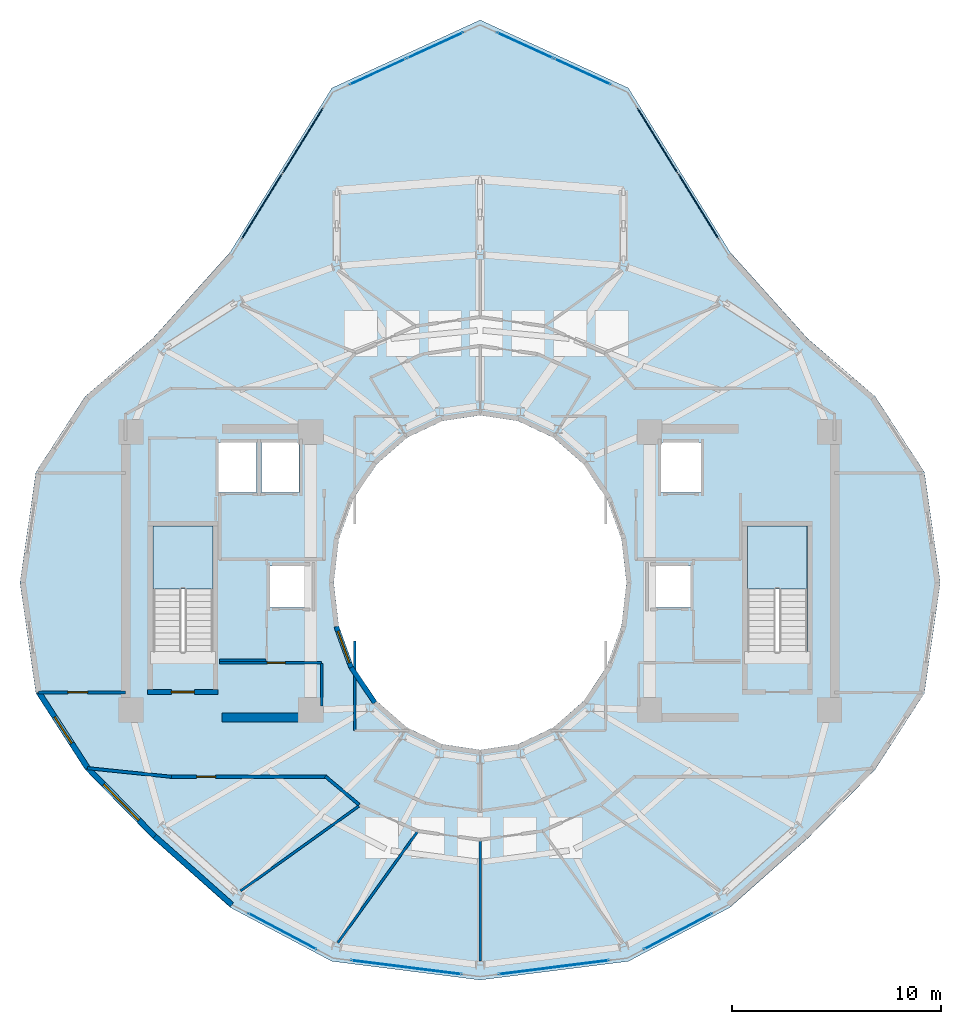
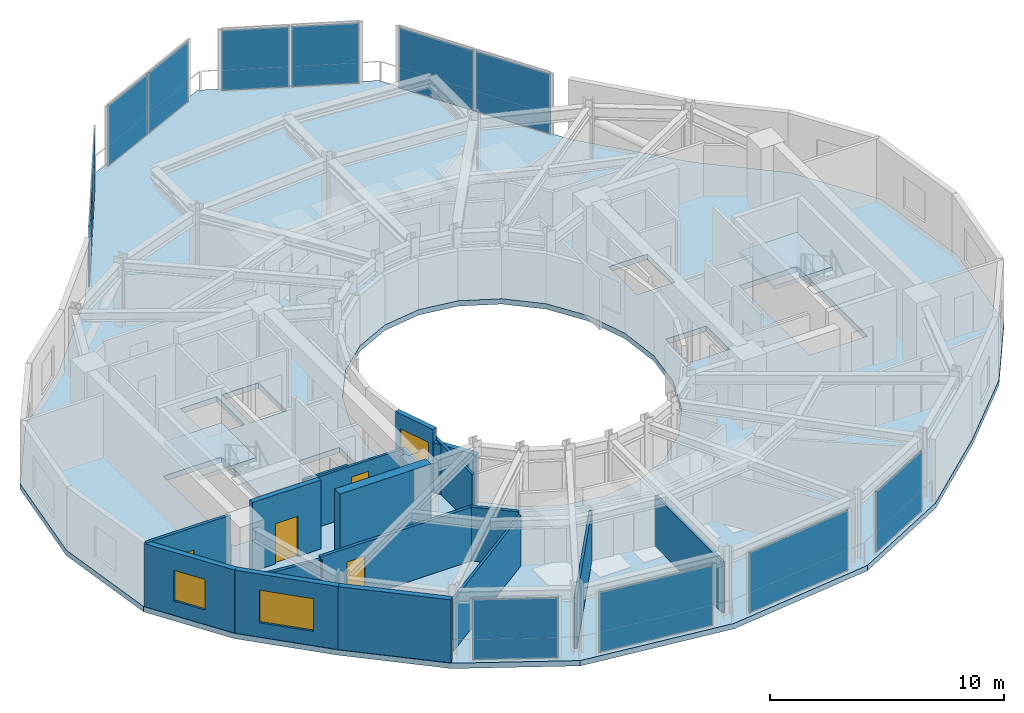
# One storey, part 12 of 19: 18 walls, 12 plates, 4 doors, 3 slabs, 3 windows, 7 openings, 10 elements without a shape of their own.
"""IFC4 building model written with IfcOpenShell, lengths in metres."""

from ifc_helpers import new_model, si_unit, direction, frame, frame_2d, origin, origin_2d, place, context, subcontext, project, spatial, polyline, rectangle, outline, extrude, material, layer, layer_set, type_object, element, fill, aggregate, save


model = new_model("IFC4")

# Units and contexts
model_context = context("Model", 3, precision=1e-05, world=origin(), true_north=direction((0.0, 1.0)))
body_context = subcontext(model_context, "Body", "Model", "MODEL_VIEW")
ifc_project = project(units=[si_unit("LENGTHUNIT", "METRE"), si_unit("AREAUNIT", "SQUARE_METRE"), si_unit("VOLUMEUNIT", "CUBIC_METRE"), si_unit("PLANEANGLEUNIT", "RADIAN"), si_unit("MASSUNIT", "GRAM", prefix="KILO")], contexts=[model_context])

# Site, building, storey
site_placement = place(None, origin())
site = spatial("IfcSite", under=ifc_project, at=site_placement, CompositionType="ELEMENT")
building_placement = place(site_placement, origin())
building = spatial("IfcBuilding", under=site, at=building_placement, Name="Solvane Sanctuary Tower", CompositionType="ELEMENT")
storey_placement = place(building_placement, frame((0.0, 0.0, 249.60009765625)))
storey = spatial("IfcBuildingStorey", under=building, at=storey_placement, Name="L76", CompositionType="ELEMENT", Elevation=249.60009765625)

# Curtain wall, plates
ifc_material_1 = material(Name="Anodised Aluminium 6063-T6", Category="aluminium")
ifc_layer_1 = layer(ifc_material_1, 0.18994140625, Name="Anodised Aluminium 6063-T6")
ifc_layer_set_1 = layer_set([ifc_layer_1], Name="Anodised Aluminium 6063-T6")
curtain_wall_type = type_object("IfcCurtainWallType", Name="Curtain Wall CW-OPER", PredefinedType="NOTDEFINED", material=ifc_layer_set_1)
curtain_wall_1_placement = place(storey_placement, origin())
curtain_wall_1 = element("IfcCurtainWall", 1, at=curtain_wall_1_placement, inside=storey, type_object=curtain_wall_type, Name="L76 CW-OPER Facade Run 04", PredefinedType="NOTDEFINED")
ifc_material_2 = material(Name="Dark Ceramic-Fritted Low-E Glass", Category="glass")
ifc_layer_2 = layer(ifc_material_2, 0.0419921875, Name="Dark Ceramic-Fritted Low-E Glass")
ifc_layer_set_2 = layer_set([ifc_layer_2], Name="Dark Ceramic-Fritted Low-E Glass")
plate_type = type_object("IfcPlateType", Name="Plate PN-OPER-VENT", PredefinedType="CURTAIN_PANEL", material=ifc_layer_set_2)
plate_1_placement = place(storey_placement, frame((42.437255859375, 40.978515625, 0.06494140625), z_axis=(0.0, 0.0, 1.0), x_axis=(-0.527391688453, 0.849622273102, 0.0)))
plate_1 = element("IfcPlate", 2, at=plate_1_placement, type_object=plate_type, Name="CW-OPER panel 1.1", PredefinedType="CURTAIN_PANEL", context=body_context, shape_type="SweptSolid", body=[
    extrude(rectangle(XDim=3.643798828125, YDim=0.0419921875, at=origin_2d()), origin(), (0.0, 0.0, 1.0), 3.14990234375),
])
plate_2_placement = place(storey_placement, frame((40.475830078125, 44.137939453125, 0.06494140625), z_axis=(0.0, 0.0, 1.0), x_axis=(-0.527391688453, 0.849622273102, 0.0)))
plate_2 = element("IfcPlate", 3, at=plate_2_placement, type_object=plate_type, Name="CW-OPER panel 2.1", PredefinedType="CURTAIN_PANEL", context=body_context, shape_type="SweptSolid", body=[
    extrude(rectangle(XDim=3.643798828125, YDim=0.0419921875, at=origin_2d()), origin(), (0.0, 0.0, 1.0), 3.14990234375),
])
aggregate(curtain_wall_1, [plate_1, plate_2])

curtain_wall_2_placement = place(storey_placement, origin())
curtain_wall_2 = element("IfcCurtainWall", 4, at=curtain_wall_2_placement, inside=storey, type_object=curtain_wall_type, Name="L76 CW-OPER Facade Run 05", PredefinedType="NOTDEFINED")
plate_3_placement = place(storey_placement, frame((36.892333984375, 47.430908203125, 0.06494140625), z_axis=(0.0, 0.0, 1.0), x_axis=(-0.909261677661, 0.416224941032, 0.0)))
plate_3 = element("IfcPlate", 5, at=plate_3_placement, type_object=plate_type, Name="CW-OPER panel 1.1", PredefinedType="CURTAIN_PANEL", context=body_context, shape_type="SweptSolid", body=[
    extrude(rectangle(XDim=2.9404296875, YDim=0.0419921875, at=origin_2d()), origin(), (0.0, 0.0, 1.0), 3.14990234375),
])
plate_4_placement = place(storey_placement, frame((34.150634765625, 48.68603515625, 0.06494140625), z_axis=(0.0, 0.0, 1.0), x_axis=(-0.909261677661, 0.416224941032, 0.0)))
plate_4 = element("IfcPlate", 6, at=plate_4_placement, type_object=plate_type, Name="CW-OPER panel 2.1", PredefinedType="CURTAIN_PANEL", context=body_context, shape_type="SweptSolid", body=[
    extrude(rectangle(XDim=2.9404296875, YDim=0.0419921875, at=origin_2d()), origin(), (0.0, 0.0, 1.0), 3.14990234375),
])
aggregate(curtain_wall_2, [plate_3, plate_4])

curtain_wall_3_placement = place(storey_placement, origin())
curtain_wall_3 = element("IfcCurtainWall", 7, at=curtain_wall_3_placement, inside=storey, type_object=curtain_wall_type, Name="L76 CW-OPER Facade Run 06", PredefinedType="NOTDEFINED")
plate_5_placement = place(storey_placement, frame((29.849365234375, 48.68603515625, 0.06494140625), z_axis=(0.0, 0.0, 1.0), x_axis=(-0.909261677661, -0.416224941032, 0.0)))
plate_5 = element("IfcPlate", 8, at=plate_5_placement, type_object=plate_type, Name="CW-OPER panel 1.1", PredefinedType="CURTAIN_PANEL", context=body_context, shape_type="SweptSolid", body=[
    extrude(rectangle(XDim=2.9404296875, YDim=0.0419921875, at=origin_2d()), origin(), (0.0, 0.0, 1.0), 3.14990234375),
])
plate_6_placement = place(storey_placement, frame((27.107666015625, 47.430908203125, 0.06494140625), z_axis=(0.0, 0.0, 1.0), x_axis=(-0.909261677661, -0.416224941032, 0.0)))
plate_6 = element("IfcPlate", 9, at=plate_6_placement, type_object=plate_type, Name="CW-OPER panel 2.1", PredefinedType="CURTAIN_PANEL", context=body_context, shape_type="SweptSolid", body=[
    extrude(rectangle(XDim=2.9404296875, YDim=0.0419921875, at=origin_2d()), origin(), (0.0, 0.0, 1.0), 3.14990234375),
])
aggregate(curtain_wall_3, [plate_5, plate_6])

curtain_wall_4_placement = place(storey_placement, origin())
curtain_wall_4 = element("IfcCurtainWall", 10, at=curtain_wall_4_placement, inside=storey, type_object=curtain_wall_type, Name="L76 CW-OPER Facade Run 07", PredefinedType="NOTDEFINED")
plate_7_placement = place(storey_placement, frame((23.524169921875, 44.137939453125, 0.06494140625), z_axis=(0.0, 0.0, 1.0), x_axis=(-0.527391688453, -0.849622273102, 0.0)))
plate_7 = element("IfcPlate", 11, at=plate_7_placement, type_object=plate_type, Name="CW-OPER panel 1.1", PredefinedType="CURTAIN_PANEL", context=body_context, shape_type="SweptSolid", body=[
    extrude(rectangle(XDim=3.643798828125, YDim=0.0419921875, at=origin_2d()), origin(), (0.0, 0.0, 1.0), 3.14990234375),
])
plate_8_placement = place(storey_placement, frame((21.562744140625, 40.978515625, 0.06494140625), z_axis=(0.0, 0.0, 1.0), x_axis=(-0.527391688453, -0.849622273102, 0.0)))
plate_8 = element("IfcPlate", 12, at=plate_8_placement, type_object=plate_type, Name="CW-OPER panel 2.1", PredefinedType="CURTAIN_PANEL", context=body_context, shape_type="SweptSolid", body=[
    extrude(rectangle(XDim=3.643798828125, YDim=0.0419921875, at=origin_2d()), origin(), (0.0, 0.0, 1.0), 3.14990234375),
])
aggregate(curtain_wall_4, [plate_7, plate_8])

# Curtain wall, plate
curtain_wall_5_placement = place(storey_placement, origin())
curtain_wall_5 = element("IfcCurtainWall", 13, at=curtain_wall_5_placement, inside=storey, type_object=curtain_wall_type, Name="L76 CW-OPER Facade Run 16", PredefinedType="NOTDEFINED")
plate_9_placement = place(storey_placement, frame((22.54345703125, 6.324462890625, 0.06494140625), z_axis=(0.0, 0.0, 1.0), x_axis=(0.883980752049, -0.467523293544, 0.0)))
plate_9 = element("IfcPlate", 14, at=plate_9_placement, type_object=plate_type, Name="CW-OPER panel 1.1", PredefinedType="CURTAIN_PANEL", context=body_context, shape_type="SweptSolid", body=[
    extrude(rectangle(XDim=3.670654296875, YDim=0.0419921875, at=origin_2d()), origin(), (0.0, 0.0, 1.0), 3.14990234375),
])
aggregate(curtain_wall_5, [plate_9])

curtain_wall_6_placement = place(storey_placement, origin())
curtain_wall_6 = element("IfcCurtainWall", 15, at=curtain_wall_6_placement, inside=storey, type_object=curtain_wall_type, Name="L76 CW-OPER Facade Run 17", PredefinedType="NOTDEFINED")
plate_10_placement = place(storey_placement, frame((28.478515625, 4.605224609375, 0.06494140625), z_axis=(0.0, 0.0, 1.0), x_axis=(0.992180050716, -0.124814850727, 0.0)))
plate_10 = element("IfcPlate", 16, at=plate_10_placement, type_object=plate_type, Name="CW-OPER panel 1.1", PredefinedType="CURTAIN_PANEL", context=body_context, shape_type="SweptSolid", body=[
    extrude(rectangle(XDim=5.30859375, YDim=0.0419921875, at=origin_2d()), origin(), (0.0, 0.0, 1.0), 3.14990234375),
])
aggregate(curtain_wall_6, [plate_10])

curtain_wall_7_placement = place(storey_placement, origin())
curtain_wall_7 = element("IfcCurtainWall", 17, at=curtain_wall_7_placement, inside=storey, type_object=curtain_wall_type, Name="L76 CW-OPER Facade Run 18", PredefinedType="NOTDEFINED")
plate_11_placement = place(storey_placement, frame((35.521484375, 4.605224609375, 0.06494140625), z_axis=(0.0, 0.0, 1.0), x_axis=(0.992180050716, 0.124814850727, 0.0)))
plate_11 = element("IfcPlate", 18, at=plate_11_placement, type_object=plate_type, Name="CW-OPER panel 1.1", PredefinedType="CURTAIN_PANEL", context=body_context, shape_type="SweptSolid", body=[
    extrude(rectangle(XDim=5.30859375, YDim=0.0419921875, at=origin_2d()), origin(), (0.0, 0.0, 1.0), 3.14990234375),
])
aggregate(curtain_wall_7, [plate_11])

curtain_wall_8_placement = place(storey_placement, origin())
curtain_wall_8 = element("IfcCurtainWall", 19, at=curtain_wall_8_placement, inside=storey, type_object=curtain_wall_type, Name="L76 CW-OPER Facade Run 19", PredefinedType="NOTDEFINED")
plate_12_placement = place(storey_placement, frame((41.45654296875, 6.324462890625, 0.06494140625), z_axis=(0.0, 0.0, 1.0), x_axis=(0.883980752049, 0.467523293544, 0.0)))
plate_12 = element("IfcPlate", 20, at=plate_12_placement, type_object=plate_type, Name="CW-OPER panel 1.1", PredefinedType="CURTAIN_PANEL", context=body_context, shape_type="SweptSolid", body=[
    extrude(rectangle(XDim=3.670654296875, YDim=0.0419921875, at=origin_2d()), origin(), (0.0, 0.0, 1.0), 3.14990234375),
])
aggregate(curtain_wall_8, [plate_12])

# Slab
ifc_material_3 = material(Name="Concrete C50/60", Category="concrete")
ifc_layer_3 = layer(ifc_material_3, 0.280029296875, Name="Concrete C50/60")
ifc_layer_set_3 = layer_set([ifc_layer_3], Name="Concrete C50/60")
slab_type_1 = type_object("IfcSlabType", Name="Slab SL-CANT-280", PredefinedType="FLOOR", material=ifc_layer_set_3)
slab_1_placement = place(storey_placement, frame((0.0, 0.0, -0.280029296875)))
element("IfcSlab", 21, at=slab_1_placement, inside=storey, type_object=slab_type_1, Name="L76 Primary Structural Slab", PredefinedType="FLOOR", context=body_context, shape_type="SweptSolid", body=[
    extrude(outline(polyline([(54.0, 23.0), (53.239990234375, 28.283935546875), (50.881103515625, 31.9052734375), (47.6572265625, 34.671875), (43.946044921875, 38.804931640625), (39.088134765625, 46.648193359375), (32.0, 49.89990234375), (24.911865234375, 46.648193359375), (20.053955078125, 38.804931640625), (16.3427734375, 34.671875), (13.118896484375, 31.9052734375), (10.760009765625, 28.283935546875), (10.0, 23.0), (10.760009765625, 17.716064453125), (13.118896484375, 14.056884765625), (16.3427734375, 10.7666015625), (20.053955078125, 7.46826171875), (24.911865234375, 4.8935546875), (32.0, 4.0), (39.088134765625, 4.8935546875), (43.946044921875, 7.46826171875), (47.6572265625, 10.7666015625), (50.881103515625, 14.056884765625), (53.239990234375, 17.716064453125), (54.0, 23.0)]), holes=[polyline([(38.761474609375, 20.929443359375), (38.062255859375, 19.0), (36.94970703125, 17.343017578125), (35.5, 16.07177734375), (33.811767578125, 15.272705078125), (32.0, 15.0), (30.188232421875, 15.272705078125), (28.5, 16.07177734375), (27.05029296875, 17.343017578125), (25.937744140625, 19.0), (25.238525390625, 20.929443359375), (25.0, 23.0), (25.238525390625, 25.070556640625), (25.937744140625, 27.0), (27.05029296875, 28.656982421875), (28.5, 29.92822265625), (30.188232421875, 30.727294921875), (32.0, 31.0), (33.811767578125, 30.727294921875), (35.5, 29.92822265625), (36.94970703125, 28.656982421875), (38.062255859375, 27.0), (38.761474609375, 25.070556640625), (39.0, 23.0), (38.761474609375, 20.929443359375)]), polyline([(16.360107421875, 19.699951171875), (16.360107421875, 25.699951171875), (19.219970703125, 25.699951171875), (19.219970703125, 19.699951171875), (16.360107421875, 19.699951171875)]), polyline([(44.780029296875, 19.699951171875), (44.780029296875, 25.699951171875), (47.639892578125, 25.699951171875), (47.639892578125, 19.699951171875), (44.780029296875, 19.699951171875)]), polyline([(21.949951171875, 23.800048828125), (23.949951171875, 23.800048828125), (23.949951171875, 21.800048828125), (21.949951171875, 21.800048828125), (21.949951171875, 23.800048828125)]), polyline([(40.050048828125, 23.800048828125), (42.050048828125, 23.800048828125), (42.050048828125, 21.800048828125), (40.050048828125, 21.800048828125), (40.050048828125, 23.800048828125)]), polyline([(19.5, 29.699951171875), (21.300048828125, 29.699951171875), (21.300048828125, 27.300048828125), (19.5, 27.300048828125), (19.5, 29.699951171875)]), polyline([(21.550048828125, 29.699951171875), (23.35009765625, 29.699951171875), (23.35009765625, 27.300048828125), (21.550048828125, 27.300048828125), (21.550048828125, 29.699951171875)]), polyline([(40.64990234375, 29.699951171875), (42.550048828125, 29.699951171875), (42.550048828125, 27.300048828125), (40.64990234375, 27.300048828125), (40.64990234375, 29.699951171875)])]), origin(), (0.0, 0.0, 1.0), 0.280029296875),
])

# Stair, slab
ifc_material_4 = material(Name="Concrete C45/55", Category="concrete")
stair_type = type_object("IfcStairType", Name="Stair ST-TOW", PredefinedType="HALF_TURN_STAIR", material=ifc_material_4)
stair_1_placement = place(storey_placement, origin())
stair_1 = element("IfcStair", 22, at=stair_1_placement, inside=storey, type_object=stair_type, Name="L76 Exit Stair ST-1 West Core", PredefinedType="HALF_TURN_STAIR")
ifc_layer_4 = layer(ifc_material_4, 0.199951171875, Name="Concrete C45/55")
ifc_layer_set_4 = layer_set([ifc_layer_4], Name="Concrete C45/55")
slab_type_2 = type_object("IfcSlabType", Name="Slab SL-LAND-180", PredefinedType="LANDING", material=ifc_layer_set_4)
slab_2_placement = place(storey_placement, frame((0.0, 0.0, 1.599853515625)))
slab_2 = element("IfcSlab", 23, at=slab_2_placement, type_object=slab_type_2, Name="ST-1 landing 1", PredefinedType="LANDING", context=body_context, shape_type="SweptSolid", body=[
    extrude(outline(polyline([(19.219970703125, 22.699951171875), (19.219970703125, 25.699951171875), (16.360107421875, 25.699951171875), (16.360107421875, 22.699951171875), (19.219970703125, 22.699951171875)])), origin(), (0.0, 0.0, 1.0), 0.199951171875),
])
aggregate(stair_1, [slab_2])

stair_2_placement = place(storey_placement, origin())
stair_2 = element("IfcStair", 24, at=stair_2_placement, inside=storey, type_object=stair_type, Name="L76 Exit Stair ST-2 East Core", PredefinedType="HALF_TURN_STAIR")
slab_3_placement = place(storey_placement, frame((0.0, 0.0, 1.599853515625)))
slab_3 = element("IfcSlab", 25, at=slab_3_placement, type_object=slab_type_2, Name="ST-2 landing 1", PredefinedType="LANDING", context=body_context, shape_type="SweptSolid", body=[
    extrude(outline(polyline([(47.639892578125, 22.699951171875), (47.639892578125, 25.699951171875), (44.780029296875, 25.699951171875), (44.780029296875, 22.699951171875), (47.639892578125, 22.699951171875)])), origin(), (0.0, 0.0, 1.0), 0.199951171875),
])
aggregate(stair_2, [slab_3])

# Wall
ifc_layer_5 = layer(ifc_material_3, 0.449951171875, Name="Concrete C50/60")
ifc_layer_set_5 = layer_set([ifc_layer_5], Name="Concrete C50/60")
wall_type_1 = type_object("IfcWallType", Name="Wall W-CORE-450", PredefinedType="SHEAR", material=ifc_layer_set_5)
wall_1_placement = place(storey_placement, frame((19.64990234375, 16.550048828125, 0.0), z_axis=(0.0, 0.0, 1.0), x_axis=(1.0, 0.0, 0.0)))
element("IfcWall", 26, at=wall_1_placement, inside=storey, type_object=wall_type_1, Name="L76 Core Shear Wall WC-S", PredefinedType="SHEAR", context=body_context, shape_type="SweptSolid", body=[
    extrude(rectangle(XDim=4.5, YDim=0.449951171875, at=frame_2d((2.25, 0.0))), origin(), (0.0, 0.0, 1.0), 3.599853515625),
])

# Wall, opening, door
ifc_material_5 = material(Name="Acoustic Gypsum Partition Board")
ifc_layer_6 = layer(ifc_material_5, 0.14990234375, Name="Acoustic Gypsum Partition Board")
ifc_layer_set_6 = layer_set([ifc_layer_6], Name="Acoustic Gypsum Partition Board")
wall_type_2 = type_object("IfcWallType", Name="Wall W-CORR-150", PredefinedType="PARTITIONING", material=ifc_layer_set_6)
wall_2_placement = place(storey_placement, frame((10.87548828125, 17.754638671875, 0.0), z_axis=(0.0, 0.0, 1.0), x_axis=(1.0, 0.0, 0.0)))
wall_2 = element("IfcWall", 27, at=wall_2_placement, inside=storey, type_object=wall_type_2, Name="L76 West Shoulder South Wall", PredefinedType="PARTITIONING", context=body_context, shape_type="SweptSolid", body=[
    extrude(rectangle(XDim=4.174560546875, YDim=0.14990234375, at=frame_2d((2.08740234375, 0.0))), origin(), (0.0, 0.0, 1.0), 3.294921875),
])
opening_1_placement = place(wall_2_placement, frame((1.407470703125, 0.0, 0.0)))
opening_1 = element("IfcOpeningElement", 28, at=opening_1_placement, cuts=wall_2, Name="Opening D-L76-15", PredefinedType="OPENING", context=body_context, shape_type="SweptSolid", body=[
    extrude(rectangle(XDim=0.949951171875, YDim=2.10009765625, at=frame_2d((0.47509765625, 1.050048828125))), frame((0.0, 0.0849609375, 0.0), z_axis=(0.0, -1.0, 0.0), x_axis=(1.0, 0.0, 0.0)), (0.0, 0.0, 1.0), 0.169921875),
])
ifc_material_6 = material(Name="Engineered Tropical Hardwood", Category="wood")
door_type_1 = type_object("IfcDoorType", Name="Door D-ROOM-950", OperationType="NOTDEFINED", PredefinedType="DOOR", material=ifc_material_6)
door_1_placement = place(opening_1_placement, origin())
door_1 = element("IfcDoor", 29, at=door_1_placement, inside=storey, type_object=door_type_1, Name="L76 West Shoulder South Door", OperationType="SINGLE_SWING_RIGHT", OverallHeight=2.10009765625, OverallWidth=0.949951171875, PredefinedType="DOOR", context=body_context, shape_type="SweptSolid", body=[
    extrude(rectangle(XDim=0.949951171875, YDim=2.10009765625, at=frame_2d((0.47509765625, 1.050048828125))), frame((0.0, 0.02490234375, 0.0), z_axis=(0.0, -1.0, 0.0), x_axis=(1.0, 0.0, 0.0)), (0.0, 0.0, 1.0), 0.050048828125),
])
fill(opening_1, door_1)

# Wall
wall_3_placement = place(storey_placement, frame((26.208984375, 12.385009765625, 0.0), z_axis=(0.0, 0.0, 1.0), x_axis=(-0.765677451641, 0.643224719711, 0.0)))
element("IfcWall", 30, at=wall_3_placement, inside=storey, type_object=wall_type_2, Name="L76 SW Corner Throat Wall", PredefinedType="PARTITIONING", context=body_context, shape_type="SweptSolid", body=[
    extrude(rectangle(XDim=2.10546875, YDim=0.14990234375, at=frame_2d((1.052734375, 0.0))), origin(), (0.0, 0.0, 1.0), 2.81591796875),
])

# Wall, opening, door
wall_4_placement = place(storey_placement, frame((17.14990234375, 13.719970703125, 0.0), z_axis=(0.0, 0.0, 1.0), x_axis=(1.0, 0.0, 0.0)))
wall_4 = element("IfcWall", 31, at=wall_4_placement, inside=storey, type_object=wall_type_2, Name="L76 SW Corner Corridor Wall", PredefinedType="PARTITIONING", context=body_context, shape_type="SweptSolid", body=[
    extrude(rectangle(XDim=7.52001953125, YDim=0.14990234375, at=frame_2d((3.760009765625, 0.0))), origin(), (0.0, 0.0, 1.0), 2.81591796875),
])
opening_2_placement = place(wall_4_placement, frame((1.300048828125, 0.0, 0.0)))
opening_2 = element("IfcOpeningElement", 32, at=opening_2_placement, cuts=wall_4, Name="Opening D-L76-18", PredefinedType="OPENING", context=body_context, shape_type="SweptSolid", body=[
    extrude(rectangle(XDim=0.89990234375, YDim=2.10009765625, at=frame_2d((0.449951171875, 1.050048828125))), frame((0.0, 0.0849609375, 0.0), z_axis=(0.0, -1.0, 0.0), x_axis=(1.0, 0.0, 0.0)), (0.0, 0.0, 1.0), 0.169921875),
])
door_type_2 = type_object("IfcDoorType", Name="Door D-WET-900", OperationType="NOTDEFINED", PredefinedType="DOOR", material=ifc_material_6)
door_2_placement = place(opening_2_placement, origin())
door_2 = element("IfcDoor", 33, at=door_2_placement, inside=storey, type_object=door_type_2, Name="L76 SW Corner Salon Door", OperationType="SINGLE_SWING_LEFT", OverallHeight=2.10009765625, OverallWidth=0.89990234375, PredefinedType="DOOR", context=body_context, shape_type="SweptSolid", body=[
    extrude(rectangle(XDim=0.89990234375, YDim=2.10009765625, at=frame_2d((0.449951171875, 1.050048828125))), frame((0.0, 0.02490234375, 0.0), z_axis=(0.0, -1.0, 0.0), x_axis=(1.0, 0.0, 0.0)), (0.0, 0.0, 1.0), 0.050048828125),
])
fill(opening_2, door_2)

# Wall
wall_5_placement = place(storey_placement, frame((17.249755859375, 13.71484375, 0.0), z_axis=(0.0, 0.0, 1.0), x_axis=(-0.994734711466, 0.102483431859, 0.0)))
element("IfcWall", 34, at=wall_5_placement, inside=storey, type_object=wall_type_2, Name="L76 SW Corner Wing Wall", PredefinedType="PARTITIONING", context=body_context, shape_type="SweptSolid", body=[
    extrude(rectangle(XDim=4.04736328125, YDim=0.14990234375, at=frame_2d((2.023681640625, 0.0))), origin(), (0.0, 0.0, 1.0), 2.659912109375),
])

# Wall, opening, window
ifc_material_7 = material(Name="Precast concrete C40/50", Category="concrete")
ifc_layer_7 = layer(ifc_material_7, 0.260009765625, Name="Precast concrete C40/50")
ifc_layer_set_7 = layer_set([ifc_layer_7], Name="Precast concrete C40/50")
wall_type_3 = type_object("IfcWallType", Name="Wall W-EXT-250", PredefinedType="STANDARD", material=ifc_layer_set_7)
wall_6_placement = place(storey_placement, frame((10.895263671875, 17.76123046875, 0.0), z_axis=(0.0, 0.0, 1.0), x_axis=(0.542641766008, -0.839964233634, 0.0)))
wall_6 = element("IfcWall", 35, at=wall_6_placement, inside=storey, type_object=wall_type_3, Name="L76 Ceramic-Printed Facade Wall 13", PredefinedType="STANDARD", context=body_context, shape_type="SweptSolid", body=[
    extrude(rectangle(XDim=4.319091796875, YDim=0.260009765625, at=frame_2d((2.15966796875, 0.0))), origin(), (0.0, 0.0, 1.0), 3.289794921875),
])
opening_3_placement = place(wall_6_placement, frame((1.40966796875, 0.0, 0.75)))
opening_3 = element("IfcOpeningElement", 36, at=opening_3_placement, cuts=wall_6, Name="Opening WN-OPER-1500", PredefinedType="OPENING", context=body_context, shape_type="SweptSolid", body=[
    extrude(rectangle(XDim=1.5, YDim=1.60009765625, at=frame_2d((0.75, 0.800048828125))), frame((0.0, 0.139892578125, 0.0), z_axis=(0.0, -1.0, 0.0), x_axis=(1.0, 0.0, 0.0)), (0.0, 0.0, 1.0), 0.280029296875),
])
window_type_1 = type_object("IfcWindowType", Name="Window WN-OPER-1500", PartitioningType="SINGLE_PANEL", PredefinedType="WINDOW", material=ifc_material_2)
window_1_placement = place(opening_3_placement, origin())
window_1 = element("IfcWindow", 37, at=window_1_placement, inside=storey, type_object=window_type_1, Name="L76 Operable Facade Window 13", OverallHeight=1.60009765625, OverallWidth=1.5, PartitioningType="SINGLE_PANEL", PredefinedType="WINDOW", context=body_context, shape_type="SweptSolid", body=[
    extrude(rectangle(XDim=1.5, YDim=1.60009765625, at=frame_2d((0.75, 0.800048828125))), frame((0.0, 0.030029296875, 0.0), z_axis=(0.0, -1.0, 0.0), x_axis=(1.0, 0.0, 0.0)), (0.0, 0.0, 1.0), 0.06005859375),
])
fill(opening_3, window_1)

wall_7_placement = place(storey_placement, frame((13.239013671875, 14.13330078125, 0.0), z_axis=(0.0, 0.0, 1.0), x_axis=(0.700642973333, -0.713512034881, 0.0)))
wall_7 = element("IfcWall", 38, at=wall_7_placement, inside=storey, type_object=wall_type_3, Name="L76 Ceramic-Printed Facade Wall 14", PredefinedType="STANDARD", context=body_context, shape_type="SweptSolid", body=[
    extrude(rectangle(XDim=4.572021484375, YDim=0.260009765625, at=frame_2d((2.2861328125, 0.0))), origin(), (0.0, 0.0, 1.0), 3.289794921875),
])
opening_4_placement = place(wall_7_placement, frame((1.0859375, 0.0, 0.75)))
opening_4 = element("IfcOpeningElement", 39, at=opening_4_placement, cuts=wall_7, Name="Opening WN-RIB-2400", PredefinedType="OPENING", context=body_context, shape_type="SweptSolid", body=[
    extrude(rectangle(XDim=2.39990234375, YDim=1.699951171875, at=frame_2d((1.199951171875, 0.85009765625))), frame((0.0, 0.139892578125, 0.0), z_axis=(0.0, -1.0, 0.0), x_axis=(1.0, 0.0, 0.0)), (0.0, 0.0, 1.0), 0.280029296875),
])
window_type_2 = type_object("IfcWindowType", Name="Window WN-RIB-2400", PartitioningType="SINGLE_PANEL", PredefinedType="WINDOW", material=ifc_material_2)
window_2_placement = place(opening_4_placement, origin())
window_2 = element("IfcWindow", 40, at=window_2_placement, inside=storey, type_object=window_type_2, Name="L76 Operable Facade Window 14", OverallHeight=1.699951171875, OverallWidth=2.39990234375, PartitioningType="SINGLE_PANEL", PredefinedType="WINDOW", context=body_context, shape_type="SweptSolid", body=[
    extrude(rectangle(XDim=2.39990234375, YDim=1.699951171875, at=frame_2d((1.199951171875, 0.85009765625))), frame((0.0, 0.030029296875, 0.0), z_axis=(0.0, -1.0, 0.0), x_axis=(1.0, 0.0, 0.0)), (0.0, 0.0, 1.0), 0.06005859375),
])
fill(opening_4, window_2)

# Wall
wall_8_placement = place(storey_placement, frame((16.4423828125, 10.87109375, 0.0), z_axis=(0.0, 0.0, 1.0), x_axis=(0.748165854006, -0.663511759428, 0.0)))
element("IfcWall", 41, at=wall_8_placement, inside=storey, type_object=wall_type_3, Name="L76 Ceramic-Printed Facade Wall 15", PredefinedType="STANDARD", context=body_context, shape_type="SweptSolid", body=[
    extrude(rectangle(XDim=4.9287109375, YDim=0.260009765625, at=frame_2d((2.46435546875, 0.0))), origin(), (0.0, 0.0, 1.0), 3.289794921875),
])

# Wall, opening, window
ifc_layer_8 = layer(ifc_material_7, 0.22998046875, Name="Precast concrete C40/50")
ifc_layer_set_8 = layer_set([ifc_layer_8], Name="Precast concrete C40/50")
wall_type_4 = type_object("IfcWallType", Name="Wall W-EXT-SP220", PredefinedType="STANDARD", material=ifc_layer_set_8)
wall_9_placement = place(storey_placement, frame((25.12255859375, 20.8984375, 0.0), z_axis=(0.0, 0.0, 1.0), x_axis=(0.341423187295, -0.93990968033, 0.0)))
wall_9 = element("IfcWall", 42, at=wall_9_placement, inside=storey, type_object=wall_type_4, Name="L76 Central Light-Well Wall 13", PredefinedType="STANDARD", context=body_context, shape_type="SweptSolid", body=[
    extrude(rectangle(XDim=2.083740234375, YDim=0.22998046875, at=frame_2d((1.0419921875, 0.0))), origin(), (0.0, 0.0, 1.0), 3.27978515625),
])
opening_5_placement = place(wall_9_placement, frame((0.24169921875, 0.0, 0.85009765625)))
opening_5 = element("IfcOpeningElement", 43, at=opening_5_placement, cuts=wall_9, Name="Opening WN-WELL-1600", PredefinedType="OPENING", context=body_context, shape_type="SweptSolid", body=[
    extrude(rectangle(XDim=1.60009765625, YDim=1.64990234375, at=frame_2d((0.800048828125, 0.824951171875))), frame((0.0, 0.125, 0.0), z_axis=(0.0, -1.0, 0.0), x_axis=(1.0, 0.0, 0.0)), (0.0, 0.0, 1.0), 0.25),
])
ifc_material_8 = material(Name="Clear Laminated Light-Well Glass", Category="glass")
window_type_3 = type_object("IfcWindowType", Name="Window WN-WELL-1600", PartitioningType="SINGLE_PANEL", PredefinedType="WINDOW", material=ifc_material_8)
window_3_placement = place(opening_5_placement, origin())
window_3 = element("IfcWindow", 44, at=window_3_placement, inside=storey, type_object=window_type_3, Name="L76 Light-Well Daylight Window 13", OverallHeight=1.64990234375, OverallWidth=1.60009765625, PartitioningType="SINGLE_PANEL", PredefinedType="WINDOW", context=body_context, shape_type="SweptSolid", body=[
    extrude(rectangle(XDim=1.60009765625, YDim=1.64990234375, at=frame_2d((0.800048828125, 0.824951171875))), frame((0.0, 0.030029296875, 0.0), z_axis=(0.0, -1.0, 0.0), x_axis=(1.0, 0.0, 0.0)), (0.0, 0.0, 1.0), 0.06005859375),
])
fill(opening_5, window_3)

# Walls
wall_10_placement = place(storey_placement, frame((25.833984375, 18.93994140625, 0.0), z_axis=(0.0, 0.0, 1.0), x_axis=(0.558197800898, -0.829707909492, 0.0)))
element("IfcWall", 45, at=wall_10_placement, inside=storey, type_object=wall_type_4, Name="L76 Central Light-Well Wall 14", PredefinedType="STANDARD", context=body_context, shape_type="SweptSolid", body=[
    extrude(rectangle(XDim=2.02685546875, YDim=0.22998046875, at=frame_2d((1.013427734375, 0.0))), origin(), (0.0, 0.0, 1.0), 2.599853515625),
])
ifc_layer_9 = layer(ifc_material_5, 0.1201171875, Name="Acoustic Gypsum Partition Board")
ifc_layer_set_9 = layer_set([ifc_layer_9], Name="Acoustic Gypsum Partition Board")
wall_type_5 = type_object("IfcWallType", Name="Wall W-MOV-100", PredefinedType="MOVABLE", material=ifc_layer_set_9)
wall_11_placement = place(storey_placement, frame((26.206298828125, 12.317626953125, 0.0), z_axis=(0.0, 0.0, 1.0), x_axis=(-0.812763742602, -0.582593424879, 0.0)))
element("IfcWall", 46, at=wall_11_placement, inside=storey, type_object=wall_type_5, Name="L76 Sky Hall Radial Partition 240", PredefinedType="MOVABLE", context=body_context, shape_type="SweptSolid", body=[
    extrude(rectangle(XDim=6.965576171875, YDim=0.1201171875, at=frame_2d((3.48291015625, 0.0))), origin(), (0.0, 0.0, 1.0), 2.659912109375),
])
wall_12_placement = place(storey_placement, frame((28.9921875, 11.076416015625, 0.0), z_axis=(0.0, 0.0, 1.0), x_axis=(-0.582726066442, -0.812668648029, 0.0)))
element("IfcWall", 47, at=wall_12_placement, inside=storey, type_object=wall_type_5, Name="L76 Sky Hall Radial Partition 255", PredefinedType="MOVABLE", context=body_context, shape_type="SweptSolid", body=[
    extrude(rectangle(XDim=6.514892578125, YDim=0.1201171875, at=frame_2d((3.25732421875, 0.0))), origin(), (0.0, 0.0, 1.0), 2.659912109375),
])
wall_13_placement = place(storey_placement, frame((32.0, 10.64697265625, 0.0), z_axis=(0.0, 0.0, 1.0), x_axis=(0.0, -1.0, 0.0)))
element("IfcWall", 48, at=wall_13_placement, inside=storey, type_object=wall_type_5, Name="L76 Sky Hall Radial Partition 270", PredefinedType="MOVABLE", context=body_context, shape_type="SweptSolid", body=[
    extrude(rectangle(XDim=5.72705078125, YDim=0.1201171875, at=frame_2d((2.863525390625, 0.0))), origin(), (0.0, 0.0, 1.0), 2.659912109375),
])

# Wall, opening, door
ifc_layer_10 = layer(ifc_material_5, 0.125, Name="Acoustic Gypsum Partition Board")
ifc_layer_set_10 = layer_set([ifc_layer_10], Name="Acoustic Gypsum Partition Board")
wall_type_6 = type_object("IfcWallType", Name="Wall W-PART-125", PredefinedType="PARTITIONING", material=ifc_layer_set_10)
wall_14_placement = place(storey_placement, frame((19.550048828125, 19.159912109375, 0.0), z_axis=(0.0, 0.0, 1.0), x_axis=(1.0, 0.0, 0.0)))
wall_14 = element("IfcWall", 49, at=wall_14_placement, inside=storey, type_object=wall_type_6, Name="L76 Reclaimed Room Partition PLW", PredefinedType="PARTITIONING", context=body_context, shape_type="SweptSolid", body=[
    extrude(rectangle(XDim=4.869873046875, YDim=0.125, at=frame_2d((2.43505859375, 0.0))), origin(), (0.0, 0.0, 1.0), 2.619873046875),
])
opening_6_placement = place(wall_14_placement, frame((2.271728515625, 0.0, 0.0)))
opening_6 = element("IfcOpeningElement", 50, at=opening_6_placement, cuts=wall_14, Name="Opening D-L76-05", PredefinedType="OPENING", context=body_context, shape_type="SweptSolid", body=[
    extrude(rectangle(XDim=0.85009765625, YDim=2.050048828125, at=frame_2d((0.425048828125, 1.02490234375))), frame((0.0, 0.072509765625, 0.0), z_axis=(0.0, -1.0, 0.0), x_axis=(1.0, 0.0, 0.0)), (0.0, 0.0, 1.0), 0.14501953125),
])
ifc_material_9 = material(Name="Architectural Stainless Steel 316", Category="steel")
door_type_3 = type_object("IfcDoorType", Name="Door D-RISER", OperationType="NOTDEFINED", PredefinedType="DOOR", material=ifc_material_9)
door_3_placement = place(opening_6_placement, origin())
door_3 = element("IfcDoor", 51, at=door_3_placement, inside=storey, type_object=door_type_3, Name="L76 Reclaimed Room Door PLW-1", OperationType="SINGLE_SWING_RIGHT", OverallHeight=2.050048828125, OverallWidth=0.85009765625, PredefinedType="DOOR", context=body_context, shape_type="SweptSolid", body=[
    extrude(rectangle(XDim=0.85009765625, YDim=2.050048828125, at=frame_2d((0.425048828125, 1.02490234375))), frame((0.0, 0.02490234375, 0.0), z_axis=(0.0, -1.0, 0.0), x_axis=(1.0, 0.0, 0.0)), (0.0, 0.0, 1.0), 0.050048828125),
])
fill(opening_6, door_3)

# Walls
wall_15_placement = place(storey_placement, frame((24.419921875, 17.10009765625, 0.0), z_axis=(0.0, 0.0, 1.0), x_axis=(0.0, 1.0, 0.0)))
element("IfcWall", 52, at=wall_15_placement, inside=storey, type_object=wall_type_6, Name="L76 Reclaimed Room Closer Wall PLW-1", PredefinedType="PARTITIONING", context=body_context, shape_type="SweptSolid", body=[
    extrude(rectangle(XDim=2.039794921875, YDim=0.125, at=frame_2d((1.02001953125, 0.0))), origin(), (0.0, 0.0, 1.0), 2.671875),
])
wall_16_placement = place(storey_placement, frame((19.550048828125, 19.280029296875, 0.0), z_axis=(0.0, 0.0, 1.0), x_axis=(1.0, 0.0, 0.0)))
element("IfcWall", 53, at=wall_16_placement, inside=storey, type_object=wall_type_6, Name="L76 Reclaimed Room Closer Wall PMW-1", PredefinedType="PARTITIONING", context=body_context, shape_type="SweptSolid", body=[
    extrude(rectangle(XDim=2.2099609375, YDim=0.125, at=frame_2d((1.10498046875, 0.0))), origin(), (0.0, 0.0, 1.0), 2.619873046875),
])
wall_17_placement = place(storey_placement, frame((26.0, 15.919921875, 0.0), z_axis=(0.0, 0.0, 1.0), x_axis=(0.0, 1.0, 0.0)))
element("IfcWall", 54, at=wall_17_placement, inside=storey, type_object=wall_type_6, Name="L76 Bridge Alcove Wall 5", PredefinedType="PARTITIONING", context=body_context, shape_type="SweptSolid", body=[
    extrude(rectangle(XDim=4.280029296875, YDim=0.125, at=frame_2d((2.14013671875, 0.0))), origin(), (0.0, 0.0, 1.0), 2.671875),
])

# Wall, opening, door
ifc_layer_11 = layer(ifc_material_3, 0.25, Name="Concrete C50/60")
ifc_layer_set_11 = layer_set([ifc_layer_11], Name="Concrete C50/60")
wall_type_7 = type_object("IfcWallType", Name="Wall W-SHAFT-250", PredefinedType="SOLIDWALL", material=ifc_layer_set_11)
wall_18_placement = place(storey_placement, frame((16.10498046875, 17.77001953125, 0.0), z_axis=(0.0, 0.0, 1.0), x_axis=(1.0, 0.0, 0.0)))
wall_18 = element("IfcWall", 55, at=wall_18_placement, inside=storey, type_object=wall_type_7, Name="L76 ST-1 Load-Bearing Shaft Wall S", PredefinedType="SOLIDWALL", context=body_context, shape_type="SweptSolid", body=[
    extrude(rectangle(XDim=3.3701171875, YDim=0.25, at=frame_2d((1.68505859375, 0.0))), origin(), (0.0, 0.0, 1.0), 3.599853515625),
])
opening_7_placement = place(wall_18_placement, frame((1.135009765625, 0.0, 0.0)))
opening_7 = element("IfcOpeningElement", 56, at=opening_7_placement, cuts=wall_18, Name="Opening D-L76-01", PredefinedType="OPENING", context=body_context, shape_type="SweptSolid", body=[
    extrude(rectangle(XDim=1.10009765625, YDim=2.10009765625, at=frame_2d((0.550048828125, 1.050048828125))), frame((0.0, 0.135009765625, 0.0), z_axis=(0.0, -1.0, 0.0), x_axis=(1.0, 0.0, 0.0)), (0.0, 0.0, 1.0), 0.27001953125),
])
door_type_4 = type_object("IfcDoorType", Name="Door D-STAIR", OperationType="NOTDEFINED", PredefinedType="DOOR", material=ifc_material_9)
door_4_placement = place(opening_7_placement, origin())
door_4 = element("IfcDoor", 57, at=door_4_placement, inside=storey, type_object=door_type_4, Name="L76 ST-1 Exit Stair Fire Door", OperationType="SINGLE_SWING_LEFT", OverallHeight=2.10009765625, OverallWidth=1.10009765625, PredefinedType="DOOR", context=body_context, shape_type="SweptSolid", body=[
    extrude(rectangle(XDim=1.10009765625, YDim=2.10009765625, at=frame_2d((0.550048828125, 1.050048828125))), frame((0.0, 0.02490234375, 0.0), z_axis=(0.0, -1.0, 0.0), x_axis=(1.0, 0.0, 0.0)), (0.0, 0.0, 1.0), 0.050048828125),
])
fill(opening_7, door_4)

save(model, "model.ifc")
